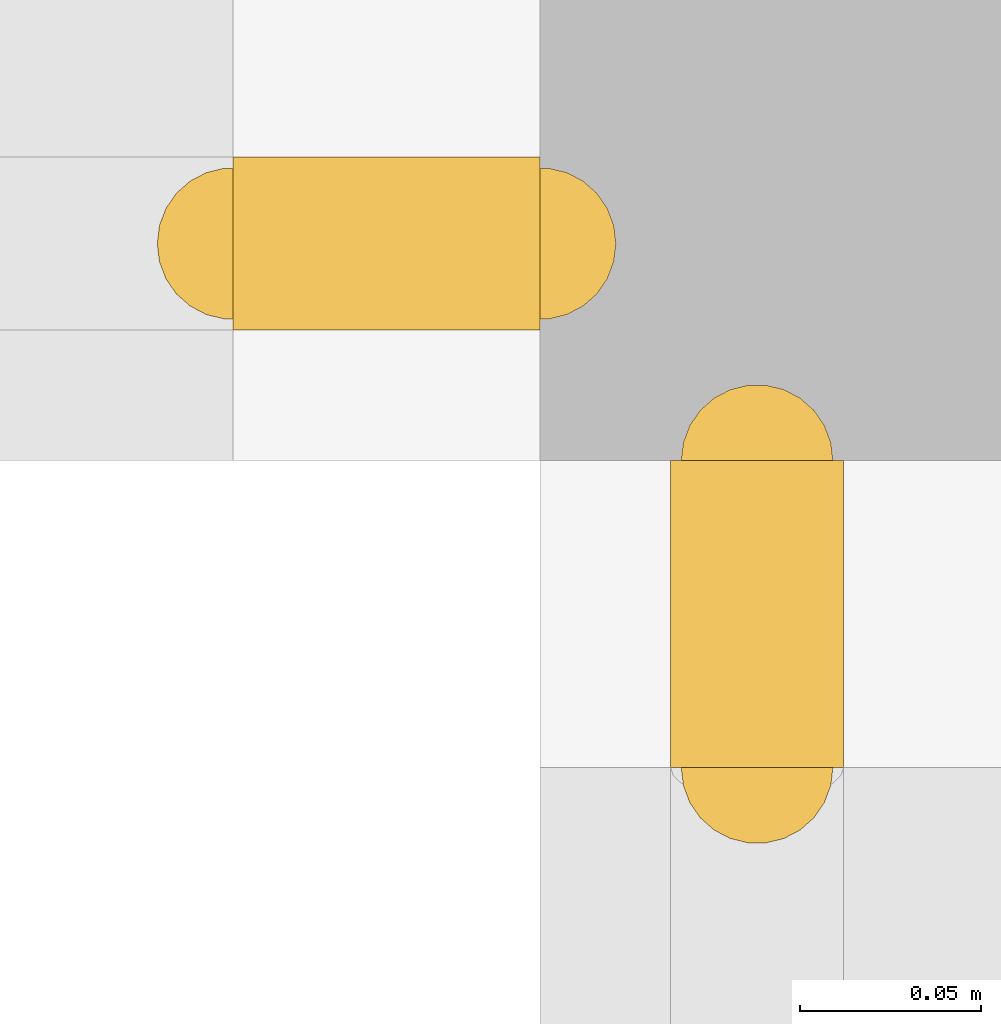
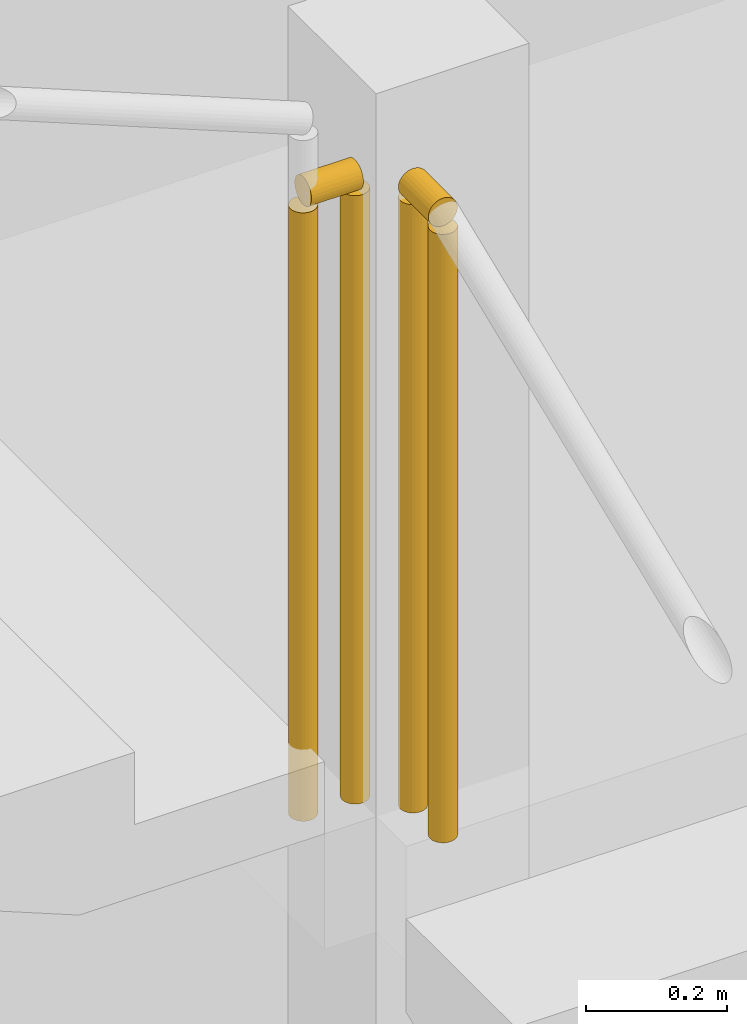
# One storey, part 33 of 37: 2 railings.
"""IFC4 building model written with IfcOpenShell, lengths in metres."""

from ifc_helpers import new_model, si_unit, direction, frame, origin, origin_2d, place, context, subcontext, project, spatial, circle, extrude, material, type_object, element, save


model = new_model("IFC4")

# Units and contexts
model_context = context("Model", 3, precision=1e-05, world=origin(), true_north=direction((0.0, 1.0)))
body_context = subcontext(model_context, "Body", "Model", "MODEL_VIEW")
ifc_project = project(units=[si_unit("LENGTHUNIT", "METRE"), si_unit("AREAUNIT", "SQUARE_METRE"), si_unit("VOLUMEUNIT", "CUBIC_METRE"), si_unit("PLANEANGLEUNIT", "RADIAN"), si_unit("MASSUNIT", "GRAM", prefix="KILO")], contexts=[model_context])

# Site, building, storey
site_placement = place(None, origin())
site = spatial("IfcSite", under=ifc_project, at=site_placement, CompositionType="ELEMENT")
building_placement = place(site_placement, origin())
building = spatial("IfcBuilding", under=site, at=building_placement, Name="Rekha Terrace Tower", CompositionType="ELEMENT")
storey_placement = place(building_placement, frame((0.0, 0.0, 228.949951171875)))
storey = spatial("IfcBuildingStorey", under=building, at=storey_placement, Name="L58", CompositionType="ELEMENT", Elevation=228.949951171875)

# Railings
ifc_material = material(Name="Stainless steel balustrade", Category="steel")
railing_type = type_object("IfcRailingType", Name="GR1 1100 stair guard", PredefinedType="GUARDRAIL", material=ifc_material)
railing_1_placement = place(storey_placement, frame((30.135009765625, 44.114990234375, 2.5)))
element("IfcRailing", 1, at=railing_1_placement, inside=storey, type_object=railing_type, Name="Guard ST4 L58 landing 2", PredefinedType="GUARDRAIL", context=body_context, shape_type="SweptSolid", body=[
    extrude(circle(Radius=0.02392578125, at=origin_2d()), frame((0.0, 0.0, 1.076171875), z_axis=(0.0, 1.0, 0.0), x_axis=(-1.0, 0.0, 0.0)), (0.0, 0.0, 1.0), 0.0849609375),
    extrude(circle(Radius=0.02099609375, at=origin_2d()), origin(), (0.0, 0.0, 1.0), 1.052001953125),
    extrude(circle(Radius=0.02099609375, at=origin_2d()), frame((0.0, 0.0849609375, 0.0)), (0.0, 0.0, 1.0), 1.052001953125),
])
railing_2_placement = place(storey_placement, frame((29.989990234375, 44.260009765625, 2.5)))
element("IfcRailing", 2, at=railing_2_placement, inside=storey, type_object=railing_type, Name="Guard ST4 L58 landing 3", PredefinedType="GUARDRAIL", context=body_context, shape_type="SweptSolid", body=[
    extrude(circle(Radius=0.02392578125, at=origin_2d()), frame((0.0, 0.0, 1.076171875), z_axis=(1.0, 0.0, 0.0), x_axis=(0.0, 1.0, 0.0)), (0.0, 0.0, 1.0), 0.0849609375),
    extrude(circle(Radius=0.02099609375, at=origin_2d()), origin(), (0.0, 0.0, 1.0), 1.052001953125),
    extrude(circle(Radius=0.02099609375, at=origin_2d()), frame((0.0849609375, 0.0, 0.0)), (0.0, 0.0, 1.0), 1.052001953125),
])

save(model, "model.ifc")
